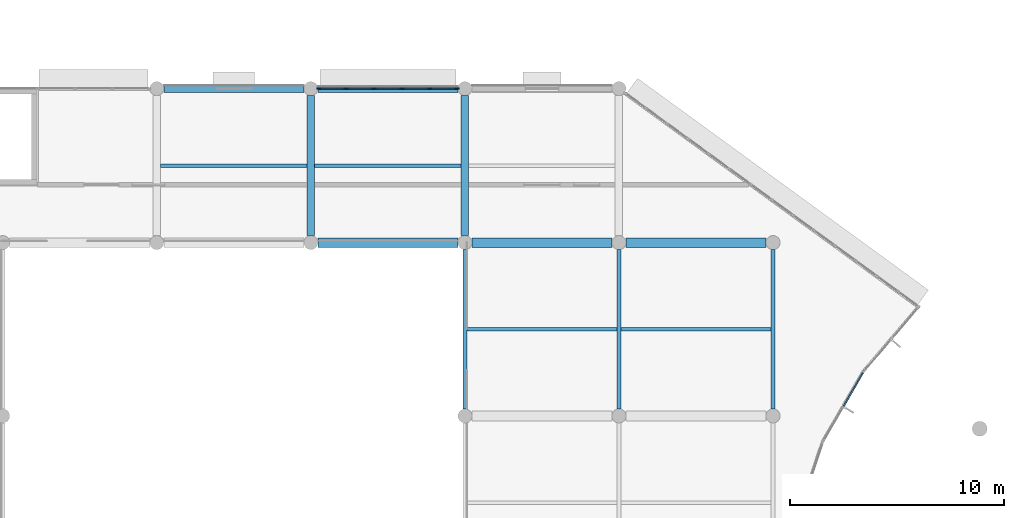
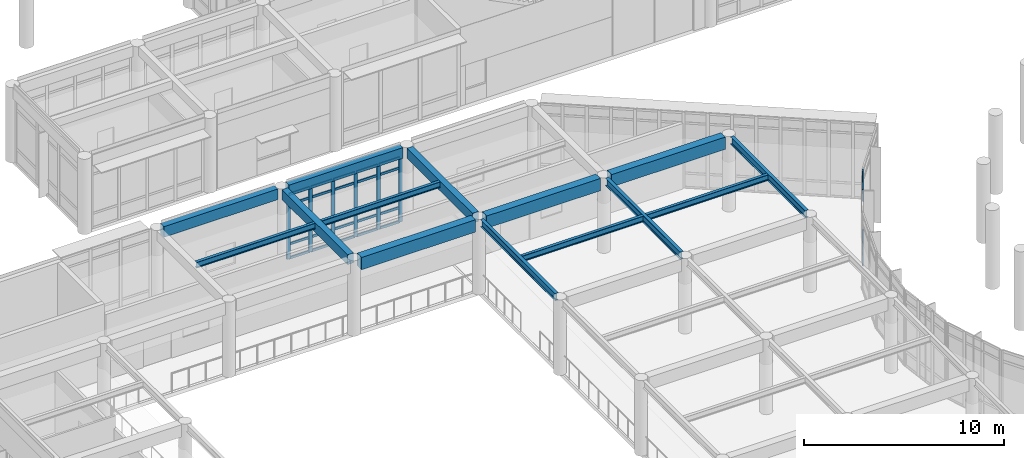
# One storey, part 18 of 92: 30 members, 14 beams, 2 elements without a shape of their own.
"""IFC4 building model written with IfcOpenShell, lengths in metres."""

from ifc_helpers import new_model, si_unit, direction, frame, origin, origin_2d, place, context, subcontext, project, spatial, rectangle, i_section, extrude, material, layer, layer_set, material_profile, profile_set, type_object, element, aggregate, save


model = new_model("IFC4")

# Units and contexts
model_context = context("Model", 3, precision=1e-05, world=origin(), true_north=direction((0.0, 1.0)))
body_context = subcontext(model_context, "Body", "Model", "MODEL_VIEW")
ifc_project = project(units=[si_unit("LENGTHUNIT", "METRE"), si_unit("AREAUNIT", "SQUARE_METRE"), si_unit("VOLUMEUNIT", "CUBIC_METRE"), si_unit("PLANEANGLEUNIT", "RADIAN"), si_unit("MASSUNIT", "GRAM", prefix="KILO")], contexts=[model_context])

# Site, building, storey
site_placement = place(None, origin())
site = spatial("IfcSite", under=ifc_project, at=site_placement, CompositionType="ELEMENT")
building_placement = place(site_placement, origin())
building = spatial("IfcBuilding", under=site, at=building_placement, Name="Namkhue Oval Health Centre", CompositionType="ELEMENT")
storey_placement = place(building_placement, frame((0.0, 0.0, 4.800048828125)))
storey = spatial("IfcBuildingStorey", under=building, at=storey_placement, Name="L01", CompositionType="ELEMENT", Elevation=4.800048828125)

# Curtain wall, members
ifc_material_1 = material(Name="Anodised aluminium EN AW-6063 T6", Category="aluminium")
ifc_layer_1 = layer(ifc_material_1, 0.159912109375)
ifc_layer_set_1 = layer_set([ifc_layer_1], Name="Anodised aluminium EN AW-6063 T6")
curtain_wall_type_1 = type_object("IfcCurtainWallType", Name="UNITISED CURTAIN WALL M1350", PredefinedType="NOTDEFINED", material=ifc_layer_set_1)
curtain_wall_1_placement = place(storey_placement, origin())
curtain_wall_1 = element("IfcCurtainWall", 1, at=curtain_wall_1_placement, inside=storey, type_object=curtain_wall_type_1, Name="Volume V1 L01 Unitised Curtain Wall 32", PredefinedType="NOTDEFINED")
ifc_material_profile_1 = material_profile(ifc_material_1, rectangle(XDim=0.074951171875, YDim=0.199951171875, at=origin_2d()), Name="ALU 75x200")
ifc_profile_set_1 = profile_set([ifc_material_profile_1], Name="Anodised aluminium EN AW-6063 T6")
member_type_1 = type_object("IfcMemberType", Name="CURTAIN WALL MULLION 75X200", PredefinedType="MULLION", material=ifc_profile_set_1)
member_1_placement = place(storey_placement, frame((50.027587890625, 82.800048828125, 0.0), z_axis=(0.0, 0.0, 1.0), x_axis=(0.0, -1.0, 0.0)))
member_1 = element("IfcMember", 2, at=member_1_placement, type_object=member_type_1, Name="CW-02 mullion 1", PredefinedType="MULLION", context=body_context, shape_type="SweptSolid", body=[
    extrude(rectangle(XDim=0.074951171875, YDim=0.199951171875, at=origin_2d()), origin(), (0.0, 0.0, 1.0), 3.949951171875),
])
member_2_placement = place(storey_placement, frame((48.759033203125, 82.800048828125, 0.0), z_axis=(0.0, 0.0, 1.0), x_axis=(0.0, -1.0, 0.0)))
member_2 = element("IfcMember", 3, at=member_2_placement, type_object=member_type_1, Name="CW-02 mullion 2", PredefinedType="MULLION", context=body_context, shape_type="SweptSolid", body=[
    extrude(rectangle(XDim=0.074951171875, YDim=0.199951171875, at=origin_2d()), origin(), (0.0, 0.0, 1.0), 3.949951171875),
])
member_3_placement = place(storey_placement, frame((47.452880859375, 82.800048828125, 0.0), z_axis=(0.0, 0.0, 1.0), x_axis=(0.0, -1.0, 0.0)))
member_3 = element("IfcMember", 4, at=member_3_placement, type_object=member_type_1, Name="CW-02 mullion 3", PredefinedType="MULLION", context=body_context, shape_type="SweptSolid", body=[
    extrude(rectangle(XDim=0.074951171875, YDim=0.199951171875, at=origin_2d()), origin(), (0.0, 0.0, 1.0), 3.949951171875),
])
member_4_placement = place(storey_placement, frame((46.14697265625, 82.800048828125, 0.0), z_axis=(0.0, 0.0, 1.0), x_axis=(0.0, -1.0, 0.0)))
member_4 = element("IfcMember", 5, at=member_4_placement, type_object=member_type_1, Name="CW-02 mullion 4", PredefinedType="MULLION", context=body_context, shape_type="SweptSolid", body=[
    extrude(rectangle(XDim=0.074951171875, YDim=0.199951171875, at=origin_2d()), origin(), (0.0, 0.0, 1.0), 3.949951171875),
])
member_5_placement = place(storey_placement, frame((44.841064453125, 82.800048828125, 0.0), z_axis=(0.0, 0.0, 1.0), x_axis=(0.0, -1.0, 0.0)))
member_5 = element("IfcMember", 6, at=member_5_placement, type_object=member_type_1, Name="CW-02 mullion 5", PredefinedType="MULLION", context=body_context, shape_type="SweptSolid", body=[
    extrude(rectangle(XDim=0.074951171875, YDim=0.199951171875, at=origin_2d()), origin(), (0.0, 0.0, 1.0), 3.949951171875),
])
member_6_placement = place(storey_placement, frame((43.572509765625, 82.800048828125, 0.0), z_axis=(0.0, 0.0, 1.0), x_axis=(0.0, -1.0, 0.0)))
member_6 = element("IfcMember", 7, at=member_6_placement, type_object=member_type_1, Name="CW-02 mullion 6", PredefinedType="MULLION", context=body_context, shape_type="SweptSolid", body=[
    extrude(rectangle(XDim=0.074951171875, YDim=0.199951171875, at=origin_2d()), origin(), (0.0, 0.0, 1.0), 3.949951171875),
])

ifc_layer_2 = layer(ifc_material_1, 0.159912109375)
ifc_layer_set_2 = layer_set([ifc_layer_2], Name="Anodised aluminium EN AW-6063 T6")
curtain_wall_type_2 = type_object("IfcCurtainWallType", Name="UNITISED CURTAIN WALL M1800", PredefinedType="NOTDEFINED", material=ifc_layer_set_2)
curtain_wall_2_placement = place(storey_placement, origin())
curtain_wall_2 = element("IfcCurtainWall", 8, at=curtain_wall_2_placement, inside=storey, type_object=curtain_wall_type_2, Name="Volume V1 L01 Unitised Curtain Wall 29", PredefinedType="NOTDEFINED")
ifc_material_profile_2 = material_profile(ifc_material_1, rectangle(XDim=0.06494140625, YDim=0.1201171875, at=origin_2d()), Name="ALU 65x120")
ifc_profile_set_2 = profile_set([ifc_material_profile_2], Name="Anodised aluminium EN AW-6063 T6")
member_type_2 = type_object("IfcMemberType", Name="CURTAIN WALL TRANSOM 65X120", PredefinedType="USERDEFINED", material=ifc_profile_set_2)
member_7_placement = place(storey_placement, frame((68.099853515625, 67.9580078125, 0.032470703125), z_axis=(0.501720134578, 0.865030003271, 0.0), x_axis=(-0.865030003271, 0.501720134578, 0.0)))
member_7 = element("IfcMember", 9, at=member_7_placement, type_object=member_type_2, Name="CW-05 transom 2.1", ObjectType="TRANSOM", PredefinedType="USERDEFINED", context=body_context, shape_type="SweptSolid", body=[
    extrude(rectangle(XDim=0.06494140625, YDim=0.1201171875, at=origin_2d()), origin(), (0.0, 0.0, 1.0), 1.786865234375),
])
member_8_placement = place(storey_placement, frame((68.099853515625, 67.9580078125, 0.89990234375), z_axis=(0.501720134578, 0.865030003271, 0.0), x_axis=(-0.865030003271, 0.501720134578, 0.0)))
member_8 = element("IfcMember", 10, at=member_8_placement, type_object=member_type_2, Name="CW-05 transom 2.2", ObjectType="TRANSOM", PredefinedType="USERDEFINED", context=body_context, shape_type="SweptSolid", body=[
    extrude(rectangle(XDim=0.06494140625, YDim=0.1201171875, at=origin_2d()), origin(), (0.0, 0.0, 1.0), 1.786865234375),
])
member_9_placement = place(storey_placement, frame((68.099853515625, 67.9580078125, 3.949951171875), z_axis=(0.501720134578, 0.865030003271, 0.0), x_axis=(-0.865030003271, 0.501720134578, 0.0)))
member_9 = element("IfcMember", 11, at=member_9_placement, type_object=member_type_2, Name="CW-05 transom 2.3", ObjectType="TRANSOM", PredefinedType="USERDEFINED", context=body_context, shape_type="SweptSolid", body=[
    extrude(rectangle(XDim=0.06494140625, YDim=0.1201171875, at=origin_2d()), origin(), (0.0, 0.0, 1.0), 1.786865234375),
])
member_10_placement = place(storey_placement, frame((68.099853515625, 67.9580078125, 4.5673828125), z_axis=(0.501720134578, 0.865030003271, 0.0), x_axis=(-0.865030003271, 0.501720134578, 0.0)))
member_10 = element("IfcMember", 12, at=member_10_placement, type_object=member_type_2, Name="CW-05 transom 2.4", ObjectType="TRANSOM", PredefinedType="USERDEFINED", context=body_context, shape_type="SweptSolid", body=[
    extrude(rectangle(XDim=0.06494140625, YDim=0.1201171875, at=origin_2d()), origin(), (0.0, 0.0, 1.0), 1.786865234375),
])
aggregate(curtain_wall_2, [member_7, member_8, member_9, member_10])

# Member
ifc_material_profile_3 = material_profile(ifc_material_1, rectangle(XDim=0.074951171875, YDim=0.14990234375, at=origin_2d()), Name="ALU 75x150")
ifc_profile_set_3 = profile_set([ifc_material_profile_3], Name="Anodised aluminium EN AW-6063 T6")
member_type_3 = type_object("IfcMemberType", Name="CURTAIN WALL TRANSOM 75X150", PredefinedType="USERDEFINED", material=ifc_profile_set_3)
member_11_placement = place(storey_placement, frame((49.989990234375, 82.800048828125, 0.037353515625), z_axis=(-1.0, 0.0, 0.0), x_axis=(0.0, -1.0, 0.0)))
member_11 = element("IfcMember", 13, at=member_11_placement, type_object=member_type_3, Name="CW-02 transom 1.1", ObjectType="TRANSOM", PredefinedType="USERDEFINED", context=body_context, shape_type="SweptSolid", body=[
    extrude(rectangle(XDim=0.074951171875, YDim=0.14990234375, at=origin_2d()), origin(), (0.0, 0.0, 1.0), 1.193603515625),
])

member_12_placement = place(storey_placement, frame((49.989990234375, 82.800048828125, 0.89990234375), z_axis=(-1.0, 0.0, 0.0), x_axis=(0.0, -1.0, 0.0)))
member_12 = element("IfcMember", 14, at=member_12_placement, type_object=member_type_3, Name="CW-02 transom 1.2", ObjectType="TRANSOM", PredefinedType="USERDEFINED", context=body_context, shape_type="SweptSolid", body=[
    extrude(rectangle(XDim=0.074951171875, YDim=0.14990234375, at=origin_2d()), origin(), (0.0, 0.0, 1.0), 1.193603515625),
])

member_13_placement = place(storey_placement, frame((49.989990234375, 82.800048828125, 3.300048828125), z_axis=(-1.0, 0.0, 0.0), x_axis=(0.0, -1.0, 0.0)))
member_13 = element("IfcMember", 15, at=member_13_placement, type_object=member_type_3, Name="CW-02 transom 1.3", ObjectType="TRANSOM", PredefinedType="USERDEFINED", context=body_context, shape_type="SweptSolid", body=[
    extrude(rectangle(XDim=0.074951171875, YDim=0.14990234375, at=origin_2d()), origin(), (0.0, 0.0, 1.0), 1.193603515625),
])

member_14_placement = place(storey_placement, frame((49.989990234375, 82.800048828125, 3.912353515625), z_axis=(-1.0, 0.0, 0.0), x_axis=(0.0, -1.0, 0.0)))
member_14 = element("IfcMember", 16, at=member_14_placement, type_object=member_type_3, Name="CW-02 transom 1.4", ObjectType="TRANSOM", PredefinedType="USERDEFINED", context=body_context, shape_type="SweptSolid", body=[
    extrude(rectangle(XDim=0.074951171875, YDim=0.14990234375, at=origin_2d()), origin(), (0.0, 0.0, 1.0), 1.193603515625),
])

member_15_placement = place(storey_placement, frame((48.721435546875, 82.800048828125, 0.037353515625), z_axis=(-1.0, 0.0, 0.0), x_axis=(0.0, -1.0, 0.0)))
member_15 = element("IfcMember", 17, at=member_15_placement, type_object=member_type_3, Name="CW-02 transom 2.1", ObjectType="TRANSOM", PredefinedType="USERDEFINED", context=body_context, shape_type="SweptSolid", body=[
    extrude(rectangle(XDim=0.074951171875, YDim=0.14990234375, at=origin_2d()), origin(), (0.0, 0.0, 1.0), 1.23095703125),
])

member_16_placement = place(storey_placement, frame((48.721435546875, 82.800048828125, 0.89990234375), z_axis=(-1.0, 0.0, 0.0), x_axis=(0.0, -1.0, 0.0)))
member_16 = element("IfcMember", 18, at=member_16_placement, type_object=member_type_3, Name="CW-02 transom 2.2", ObjectType="TRANSOM", PredefinedType="USERDEFINED", context=body_context, shape_type="SweptSolid", body=[
    extrude(rectangle(XDim=0.074951171875, YDim=0.14990234375, at=origin_2d()), origin(), (0.0, 0.0, 1.0), 1.23095703125),
])

member_17_placement = place(storey_placement, frame((48.721435546875, 82.800048828125, 3.300048828125), z_axis=(-1.0, 0.0, 0.0), x_axis=(0.0, -1.0, 0.0)))
member_17 = element("IfcMember", 19, at=member_17_placement, type_object=member_type_3, Name="CW-02 transom 2.3", ObjectType="TRANSOM", PredefinedType="USERDEFINED", context=body_context, shape_type="SweptSolid", body=[
    extrude(rectangle(XDim=0.074951171875, YDim=0.14990234375, at=origin_2d()), origin(), (0.0, 0.0, 1.0), 1.23095703125),
])

member_18_placement = place(storey_placement, frame((48.721435546875, 82.800048828125, 3.912353515625), z_axis=(-1.0, 0.0, 0.0), x_axis=(0.0, -1.0, 0.0)))
member_18 = element("IfcMember", 20, at=member_18_placement, type_object=member_type_3, Name="CW-02 transom 2.4", ObjectType="TRANSOM", PredefinedType="USERDEFINED", context=body_context, shape_type="SweptSolid", body=[
    extrude(rectangle(XDim=0.074951171875, YDim=0.14990234375, at=origin_2d()), origin(), (0.0, 0.0, 1.0), 1.23095703125),
])

member_19_placement = place(storey_placement, frame((47.41552734375, 82.800048828125, 0.037353515625), z_axis=(-1.0, 0.0, 0.0), x_axis=(0.0, -1.0, 0.0)))
member_19 = element("IfcMember", 21, at=member_19_placement, type_object=member_type_3, Name="CW-02 transom 3.1", ObjectType="TRANSOM", PredefinedType="USERDEFINED", context=body_context, shape_type="SweptSolid", body=[
    extrude(rectangle(XDim=0.074951171875, YDim=0.14990234375, at=origin_2d()), origin(), (0.0, 0.0, 1.0), 1.23095703125),
])

member_20_placement = place(storey_placement, frame((47.41552734375, 82.800048828125, 0.89990234375), z_axis=(-1.0, 0.0, 0.0), x_axis=(0.0, -1.0, 0.0)))
member_20 = element("IfcMember", 22, at=member_20_placement, type_object=member_type_3, Name="CW-02 transom 3.2", ObjectType="TRANSOM", PredefinedType="USERDEFINED", context=body_context, shape_type="SweptSolid", body=[
    extrude(rectangle(XDim=0.074951171875, YDim=0.14990234375, at=origin_2d()), origin(), (0.0, 0.0, 1.0), 1.23095703125),
])

member_21_placement = place(storey_placement, frame((47.41552734375, 82.800048828125, 3.300048828125), z_axis=(-1.0, 0.0, 0.0), x_axis=(0.0, -1.0, 0.0)))
member_21 = element("IfcMember", 23, at=member_21_placement, type_object=member_type_3, Name="CW-02 transom 3.3", ObjectType="TRANSOM", PredefinedType="USERDEFINED", context=body_context, shape_type="SweptSolid", body=[
    extrude(rectangle(XDim=0.074951171875, YDim=0.14990234375, at=origin_2d()), origin(), (0.0, 0.0, 1.0), 1.23095703125),
])

member_22_placement = place(storey_placement, frame((47.41552734375, 82.800048828125, 3.912353515625), z_axis=(-1.0, 0.0, 0.0), x_axis=(0.0, -1.0, 0.0)))
member_22 = element("IfcMember", 24, at=member_22_placement, type_object=member_type_3, Name="CW-02 transom 3.4", ObjectType="TRANSOM", PredefinedType="USERDEFINED", context=body_context, shape_type="SweptSolid", body=[
    extrude(rectangle(XDim=0.074951171875, YDim=0.14990234375, at=origin_2d()), origin(), (0.0, 0.0, 1.0), 1.23095703125),
])

member_23_placement = place(storey_placement, frame((46.109619140625, 82.800048828125, 0.037353515625), z_axis=(-1.0, 0.0, 0.0), x_axis=(0.0, -1.0, 0.0)))
member_23 = element("IfcMember", 25, at=member_23_placement, type_object=member_type_3, Name="CW-02 transom 4.1", ObjectType="TRANSOM", PredefinedType="USERDEFINED", context=body_context, shape_type="SweptSolid", body=[
    extrude(rectangle(XDim=0.074951171875, YDim=0.14990234375, at=origin_2d()), origin(), (0.0, 0.0, 1.0), 1.231201171875),
])

member_24_placement = place(storey_placement, frame((46.109619140625, 82.800048828125, 0.89990234375), z_axis=(-1.0, 0.0, 0.0), x_axis=(0.0, -1.0, 0.0)))
member_24 = element("IfcMember", 26, at=member_24_placement, type_object=member_type_3, Name="CW-02 transom 4.2", ObjectType="TRANSOM", PredefinedType="USERDEFINED", context=body_context, shape_type="SweptSolid", body=[
    extrude(rectangle(XDim=0.074951171875, YDim=0.14990234375, at=origin_2d()), origin(), (0.0, 0.0, 1.0), 1.231201171875),
])

member_25_placement = place(storey_placement, frame((46.109619140625, 82.800048828125, 3.300048828125), z_axis=(-1.0, 0.0, 0.0), x_axis=(0.0, -1.0, 0.0)))
member_25 = element("IfcMember", 27, at=member_25_placement, type_object=member_type_3, Name="CW-02 transom 4.3", ObjectType="TRANSOM", PredefinedType="USERDEFINED", context=body_context, shape_type="SweptSolid", body=[
    extrude(rectangle(XDim=0.074951171875, YDim=0.14990234375, at=origin_2d()), origin(), (0.0, 0.0, 1.0), 1.231201171875),
])

member_26_placement = place(storey_placement, frame((46.109619140625, 82.800048828125, 3.912353515625), z_axis=(-1.0, 0.0, 0.0), x_axis=(0.0, -1.0, 0.0)))
member_26 = element("IfcMember", 28, at=member_26_placement, type_object=member_type_3, Name="CW-02 transom 4.4", ObjectType="TRANSOM", PredefinedType="USERDEFINED", context=body_context, shape_type="SweptSolid", body=[
    extrude(rectangle(XDim=0.074951171875, YDim=0.14990234375, at=origin_2d()), origin(), (0.0, 0.0, 1.0), 1.231201171875),
])

member_27_placement = place(storey_placement, frame((44.803466796875, 82.800048828125, 0.037353515625), z_axis=(-1.0, 0.0, 0.0), x_axis=(0.0, -1.0, 0.0)))
member_27 = element("IfcMember", 29, at=member_27_placement, type_object=member_type_3, Name="CW-02 transom 5.1", ObjectType="TRANSOM", PredefinedType="USERDEFINED", context=body_context, shape_type="SweptSolid", body=[
    extrude(rectangle(XDim=0.074951171875, YDim=0.14990234375, at=origin_2d()), origin(), (0.0, 0.0, 1.0), 1.193359375),
])

member_28_placement = place(storey_placement, frame((44.803466796875, 82.800048828125, 0.89990234375), z_axis=(-1.0, 0.0, 0.0), x_axis=(0.0, -1.0, 0.0)))
member_28 = element("IfcMember", 30, at=member_28_placement, type_object=member_type_3, Name="CW-02 transom 5.2", ObjectType="TRANSOM", PredefinedType="USERDEFINED", context=body_context, shape_type="SweptSolid", body=[
    extrude(rectangle(XDim=0.074951171875, YDim=0.14990234375, at=origin_2d()), origin(), (0.0, 0.0, 1.0), 1.193359375),
])

member_29_placement = place(storey_placement, frame((44.803466796875, 82.800048828125, 3.300048828125), z_axis=(-1.0, 0.0, 0.0), x_axis=(0.0, -1.0, 0.0)))
member_29 = element("IfcMember", 31, at=member_29_placement, type_object=member_type_3, Name="CW-02 transom 5.3", ObjectType="TRANSOM", PredefinedType="USERDEFINED", context=body_context, shape_type="SweptSolid", body=[
    extrude(rectangle(XDim=0.074951171875, YDim=0.14990234375, at=origin_2d()), origin(), (0.0, 0.0, 1.0), 1.193359375),
])

member_30_placement = place(storey_placement, frame((44.803466796875, 82.800048828125, 3.912353515625), z_axis=(-1.0, 0.0, 0.0), x_axis=(0.0, -1.0, 0.0)))
member_30 = element("IfcMember", 32, at=member_30_placement, type_object=member_type_3, Name="CW-02 transom 5.4", ObjectType="TRANSOM", PredefinedType="USERDEFINED", context=body_context, shape_type="SweptSolid", body=[
    extrude(rectangle(XDim=0.074951171875, YDim=0.14990234375, at=origin_2d()), origin(), (0.0, 0.0, 1.0), 1.193359375),
])

aggregate(curtain_wall_1, [member_1, member_2, member_3, member_4, member_5, member_6, member_11, member_12, member_13, member_14, member_15, member_16, member_17, member_18, member_19, member_20, member_21, member_22, member_23, member_24, member_25, member_26, member_27, member_28, member_29, member_30])

# Beams
ifc_material_2 = material(Name="Reinforced concrete C30/37 (TCVN B35)", Category="concrete")
ifc_material_profile_4 = material_profile(ifc_material_2, rectangle(XDim=0.35009765625, YDim=0.60009765625, at=origin_2d()), Name="RC 350x600")
ifc_profile_set_4 = profile_set([ifc_material_profile_4], Name="Reinforced concrete C30/37 (TCVN B35)")
beam_type_1 = type_object("IfcBeamType", Name="FLOOR BEAM RC 350X600", PredefinedType="BEAM", material=ifc_profile_set_4)
for number, where, z_axis, x_axis, name in (
    (33, (43.199951171875, 75.925048828125, 4.300048828125), (0.0, 1.0, 0.0), (-1.0, 0.0, 0.0), "Volume V1 L02 Beam 7/L-M"),
    (34, (50.39990234375, 75.925048828125, 4.300048828125), (0.0, 1.0, 0.0), (-1.0, 0.0, 0.0), "Volume V1 L02 Beam 8/L-M"),
):
    element("IfcBeam", number, at=place(storey_placement, frame(where, z_axis=z_axis, x_axis=x_axis)), inside=storey, type_object=beam_type_1, Name=name, PredefinedType="BEAM", context=body_context, shape_type="SweptSolid", body=[
        extrude(rectangle(XDim=0.35009765625, YDim=0.60009765625, at=origin_2d()), origin(), (0.0, 0.0, 1.0), 6.550048828125),
    ])
ifc_material_3 = material(Name="Structural steel EN 10025-2 S355JR (TCVN 5575:2024)", Category="steel")
ifc_material_profile_5 = material_profile(ifc_material_3, i_section(OverallWidth=0.18994140625, OverallDepth=0.449951171875, WebThickness=0.009521484375, FlangeThickness=0.0146484375, FilletRadius=0.02099609375, at=origin_2d()), Name="IPE 450")
ifc_profile_set_5 = profile_set([ifc_material_profile_5], Name="Structural steel EN 10025-2 S355JR (TCVN 5575:2024)")
beam_type_2 = type_object("IfcBeamType", Name="FLOOR BEAM STEEL IPE 450", PredefinedType="BEAM", material=ifc_profile_set_5)
for number, where, z_axis, x_axis, name in (
    (35, (50.39990234375, 67.824951171875, 4.375), (0.0, 1.0, 0.0), (-1.0, 0.0, 0.0), "Volume V1 L02 Beam 8/K-L"),
    (36, (57.60009765625, 67.824951171875, 4.375), (0.0, 1.0, 0.0), (-1.0, 0.0, 0.0), "Volume V1 L02 Beam 9/K-L"),
    (37, (64.800048828125, 67.824951171875, 4.375), (0.0, 1.0, 0.0), (-1.0, 0.0, 0.0), "Volume V1 L02 Beam 10/K-L"),
):
    element("IfcBeam", number, at=place(storey_placement, frame(where, z_axis=z_axis, x_axis=x_axis)), inside=storey, type_object=beam_type_2, Name=name, PredefinedType="BEAM", context=body_context, shape_type="SweptSolid", body=[
        extrude(i_section(OverallWidth=0.18994140625, OverallDepth=0.449951171875, WebThickness=0.009521484375, FlangeThickness=0.0146484375, FilletRadius=0.02099609375, at=origin_2d()), origin(), (0.0, 0.0, 1.0), 7.449951171875),
    ])
ifc_material_4 = material(Name="Reinforced concrete C35/45 (TCVN B40)", Category="concrete")
ifc_material_profile_6 = material_profile(ifc_material_4, rectangle(XDim=0.35009765625, YDim=0.64990234375, at=origin_2d()), Name="RC 350x650")
ifc_profile_set_6 = profile_set([ifc_material_profile_6], Name="Reinforced concrete C35/45 (TCVN B40)")
beam_type_3 = type_object("IfcBeamType", Name="PERIMETER SPANDREL BEAM 350X650", PredefinedType="SPANDREL", material=ifc_profile_set_6)
for number, where, z_axis, x_axis, name in (
    (38, (36.324951171875, 82.800048828125, 4.27490234375), (1.0, 0.0, 0.0), (0.0, 1.0, 0.0), "Volume V1 L02 Girder M/6-7"),
    (39, (43.52490234375, 82.800048828125, 4.27490234375), (1.0, 0.0, 0.0), (0.0, 1.0, 0.0), "Volume V1 L02 Girder M/7-8"),
):
    element("IfcBeam", number, at=place(storey_placement, frame(where, z_axis=z_axis, x_axis=x_axis)), inside=storey, type_object=beam_type_3, Name=name, PredefinedType="SPANDREL", context=body_context, shape_type="SweptSolid", body=[
        extrude(rectangle(XDim=0.35009765625, YDim=0.64990234375, at=origin_2d()), origin(), (0.0, 0.0, 1.0), 6.550048828125),
    ])
ifc_material_profile_7 = material_profile(ifc_material_4, rectangle(XDim=0.449951171875, YDim=0.75, at=origin_2d()), Name="RC 450x750")
ifc_profile_set_7 = profile_set([ifc_material_profile_7], Name="Reinforced concrete C35/45 (TCVN B40)")
beam_type_4 = type_object("IfcBeamType", Name="PRIMARY GIRDER RC 450X750", PredefinedType="USERDEFINED", material=ifc_profile_set_7)
beam_1_placement = place(storey_placement, frame((43.52490234375, 75.60009765625, 4.224853515625), z_axis=(1.0, 0.0, 0.0), x_axis=(0.0, 1.0, 0.0)))
element("IfcBeam", 40, at=beam_1_placement, inside=storey, type_object=beam_type_4, Name="Volume V1 L02 Girder L/7-8", ObjectType="GIRDER", PredefinedType="USERDEFINED", context=body_context, shape_type="SweptSolid", body=[
    extrude(rectangle(XDim=0.449951171875, YDim=0.75, at=origin_2d()), origin(), (0.0, 0.0, 1.0), 6.550048828125),
])
beam_2_placement = place(storey_placement, frame((50.72509765625, 75.60009765625, 4.224853515625), z_axis=(1.0, 0.0, 0.0), x_axis=(0.0, 1.0, 0.0)))
element("IfcBeam", 41, at=beam_2_placement, inside=storey, type_object=beam_type_4, Name="Volume V1 L02 Girder L/8-9", ObjectType="GIRDER", PredefinedType="USERDEFINED", context=body_context, shape_type="SweptSolid", body=[
    extrude(rectangle(XDim=0.449951171875, YDim=0.75, at=origin_2d()), origin(), (0.0, 0.0, 1.0), 6.5498046875),
])
beam_3_placement = place(storey_placement, frame((57.925048828125, 75.60009765625, 4.224853515625), z_axis=(1.0, 0.0, 0.0), x_axis=(0.0, 1.0, 0.0)))
element("IfcBeam", 42, at=beam_3_placement, inside=storey, type_object=beam_type_4, Name="Volume V1 L02 Girder L/9-10", ObjectType="GIRDER", PredefinedType="USERDEFINED", context=body_context, shape_type="SweptSolid", body=[
    extrude(rectangle(XDim=0.449951171875, YDim=0.75, at=origin_2d()), origin(), (0.0, 0.0, 1.0), 6.550048828125),
])
ifc_material_profile_8 = material_profile(ifc_material_3, i_section(OverallWidth=0.169921875, OverallDepth=0.360107421875, WebThickness=0.008056640625, FlangeThickness=0.0126953125, FilletRadius=0.01806640625, at=origin_2d()), Name="IPE 360")
ifc_profile_set_8 = profile_set([ifc_material_profile_8], Name="Structural steel EN 10025-2 S355JR (TCVN 5575:2024)")
beam_type_5 = type_object("IfcBeamType", Name="SECONDARY JOIST STEEL IPE 360", PredefinedType="JOIST", material=ifc_profile_set_8)
beam_4_placement = place(storey_placement, frame((36.175048828125, 79.199951171875, 4.419921875), z_axis=(1.0, 0.0, 0.0), x_axis=(0.0, 1.0, 0.0)))
element("IfcBeam", 43, at=beam_4_placement, inside=storey, type_object=beam_type_5, Name="Volume V1 L02 Secondary Joist 6-7", PredefinedType="JOIST", context=body_context, shape_type="SweptSolid", body=[
    extrude(i_section(OverallWidth=0.169921875, OverallDepth=0.360107421875, WebThickness=0.008056640625, FlangeThickness=0.0126953125, FilletRadius=0.01806640625, at=origin_2d()), origin(), (0.0, 0.0, 1.0), 6.849853515625),
])
beam_5_placement = place(storey_placement, frame((43.375, 79.199951171875, 4.419921875), z_axis=(1.0, 0.0, 0.0), x_axis=(0.0, 1.0, 0.0)))
element("IfcBeam", 44, at=beam_5_placement, inside=storey, type_object=beam_type_5, Name="Volume V1 L02 Secondary Joist 7-8", PredefinedType="JOIST", context=body_context, shape_type="SweptSolid", body=[
    extrude(i_section(OverallWidth=0.169921875, OverallDepth=0.360107421875, WebThickness=0.008056640625, FlangeThickness=0.0126953125, FilletRadius=0.01806640625, at=origin_2d()), origin(), (0.0, 0.0, 1.0), 6.85009765625),
])
beam_6_placement = place(storey_placement, frame((50.4951171875, 71.550048828125, 4.419921875), z_axis=(1.0, 0.0, 0.0), x_axis=(0.0, 1.0, 0.0)))
element("IfcBeam", 45, at=beam_6_placement, inside=storey, type_object=beam_type_5, Name="Volume V1 L02 Secondary Joist 8-9", PredefinedType="JOIST", context=body_context, shape_type="SweptSolid", body=[
    extrude(i_section(OverallWidth=0.169921875, OverallDepth=0.360107421875, WebThickness=0.008056640625, FlangeThickness=0.0126953125, FilletRadius=0.01806640625, at=origin_2d()), origin(), (0.0, 0.0, 1.0), 7.009765625),
])
beam_7_placement = place(storey_placement, frame((57.695068359375, 71.550048828125, 4.419921875), z_axis=(1.0, 0.0, 0.0), x_axis=(0.0, 1.0, 0.0)))
element("IfcBeam", 46, at=beam_7_placement, inside=storey, type_object=beam_type_5, Name="Volume V1 L02 Secondary Joist 9-10", PredefinedType="JOIST", context=body_context, shape_type="SweptSolid", body=[
    extrude(i_section(OverallWidth=0.169921875, OverallDepth=0.360107421875, WebThickness=0.008056640625, FlangeThickness=0.0126953125, FilletRadius=0.01806640625, at=origin_2d()), origin(), (0.0, 0.0, 1.0), 7.010009765625),
])

save(model, "model.ifc")
